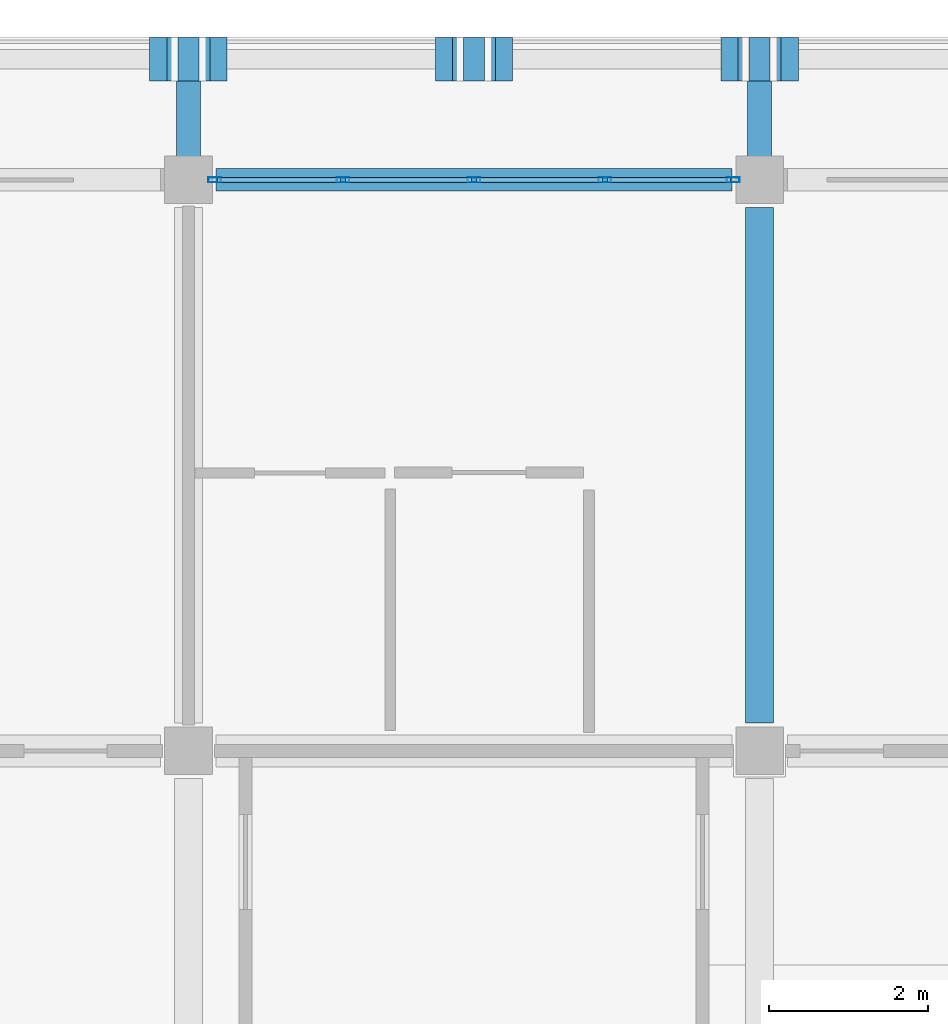
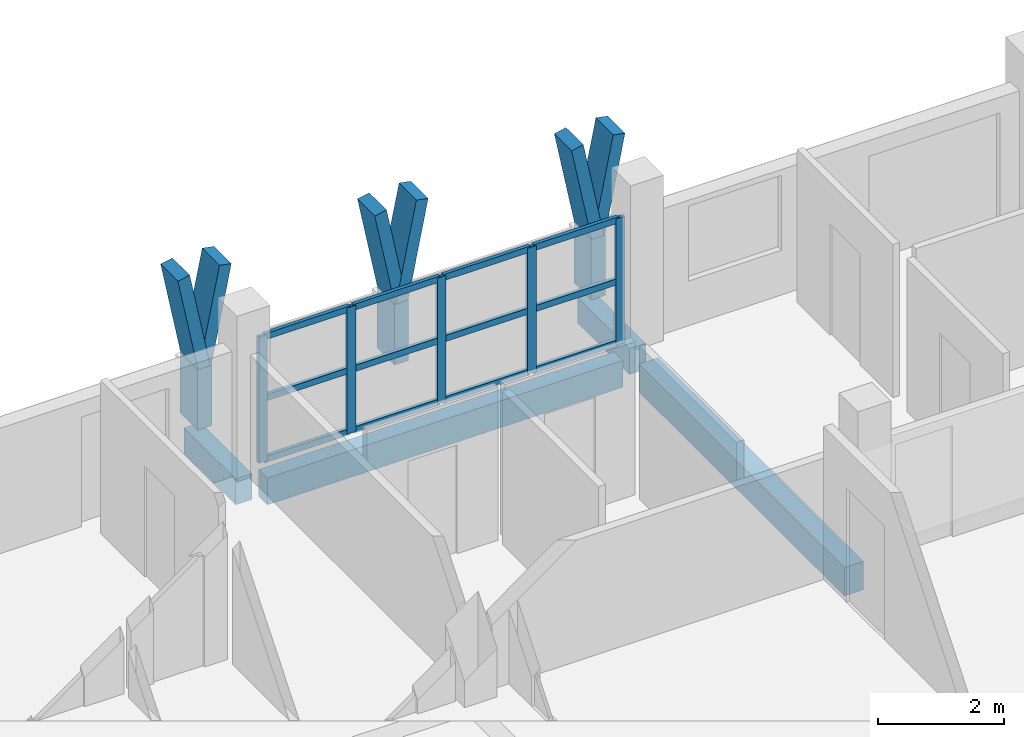
# One storey, part 91 of 157: 26 members, 4 beams, 1 element without a shape of its own.
"""IFC4 building model written with IfcOpenShell, lengths in metres."""

from ifc_helpers import new_model, si_unit, direction, frame, origin, origin_2d, place, context, subcontext, project, spatial, rectangle, hollow_rectangle, extrude, material, material_profile, profile_set, type_object, element, aggregate, save


model = new_model("IFC4")

# Units and contexts
model_context = context("Model", 3, precision=1e-05, world=origin(), true_north=direction((0.0, 1.0)))
body_context = subcontext(model_context, "Body", "Model", "MODEL_VIEW")
ifc_project = project(units=[si_unit("LENGTHUNIT", "METRE"), si_unit("AREAUNIT", "SQUARE_METRE"), si_unit("VOLUMEUNIT", "CUBIC_METRE"), si_unit("PLANEANGLEUNIT", "RADIAN"), si_unit("MASSUNIT", "GRAM", prefix="KILO")], contexts=[model_context])

# Site, building, storey
site_placement = place(None, origin())
site = spatial("IfcSite", under=ifc_project, at=site_placement, CompositionType="ELEMENT")
building_placement = place(site_placement, origin())
building = spatial("IfcBuilding", under=site, at=building_placement, Name="Suanplinth Sawtooth Commons", CompositionType="ELEMENT")
storey_placement = place(building_placement, frame((0.0, 0.0, 9.0)))
storey = spatial("IfcBuildingStorey", under=building, at=storey_placement, Name="L02", CompositionType="ELEMENT", Elevation=9.0)

# Beams
ifc_material_1 = material(Name="Precast concrete C40/50", Category="concrete")
ifc_material_profile_1 = material_profile(ifc_material_1, rectangle(XDim=0.35009765625, YDim=0.550048828125, at=origin_2d()), Name="PC-BM 350x550")
ifc_profile_set_1 = profile_set([ifc_material_profile_1], Name="Precast concrete C40/50")
beam_type_1 = type_object("IfcBeamType", Name="B-06", PredefinedType="BEAM", material=ifc_profile_set_1)
beam_1_placement = place(storey_placement, frame((172.800048828125, 115.550048828125, -0.52490234375), z_axis=(0.0, 1.0, 0.0), x_axis=(-1.0, 0.0, 0.0)))
element("IfcBeam", 1, at=beam_1_placement, inside=storey, type_object=beam_type_1, Name="BMY-L02-B-24-16", PredefinedType="BEAM", context=body_context, shape_type="SweptSolid", body=[
    extrude(rectangle(XDim=0.35009765625, YDim=0.550048828125, at=origin_2d()), origin(), (0.0, 0.0, 1.0), 6.5),
])
ifc_material_profile_2 = material_profile(ifc_material_1, rectangle(XDim=0.300048828125, YDim=0.5, at=origin_2d()), Name="PC-BM 300x500")
ifc_profile_set_2 = profile_set([ifc_material_profile_2], Name="Precast concrete C40/50")
beam_type_2 = type_object("IfcBeamType", Name="B-07", PredefinedType="BEAM", material=ifc_profile_set_2)
for number, where, z_axis, x_axis, name in (
    (2, (165.60009765625, 122.39990234375, -0.429931640625), (0.0, 1.0, 0.0), (-1.0, 0.0, 0.0), "Balcony Outrigger L02-B-N-23"),
    (3, (172.800048828125, 122.39990234375, -0.429931640625), (0.0, 1.0, 0.0), (-1.0, 0.0, 0.0), "Balcony Outrigger L02-B-N-24"),
):
    element("IfcBeam", number, at=place(storey_placement, frame(where, z_axis=z_axis, x_axis=x_axis)), inside=storey, type_object=beam_type_2, Name=name, PredefinedType="BEAM", context=body_context, shape_type="SweptSolid", body=[
        extrude(rectangle(XDim=0.300048828125, YDim=0.5, at=origin_2d()), origin(), (0.0, 0.0, 1.0), 1.64013671875),
    ])
ifc_material_profile_3 = material_profile(ifc_material_1, rectangle(XDim=0.280029296875, YDim=0.52001953125, at=origin_2d()), Name="PC-SP 280x520")
ifc_profile_set_3 = profile_set([ifc_material_profile_3], Name="Precast concrete C40/50")
beam_type_3 = type_object("IfcBeamType", Name="B-08", PredefinedType="SPANDREL", material=ifc_profile_set_3)
beam_2_placement = place(storey_placement, frame((165.949951171875, 122.39990234375, -0.510009765625), z_axis=(1.0, 0.0, 0.0), x_axis=(0.0, 1.0, 0.0)))
element("IfcBeam", 4, at=beam_2_placement, inside=storey, type_object=beam_type_3, Name="BMX-L02-B-23-17", PredefinedType="SPANDREL", context=body_context, shape_type="SweptSolid", body=[
    extrude(rectangle(XDim=0.280029296875, YDim=0.52001953125, at=origin_2d()), origin(), (0.0, 0.0, 1.0), 6.5),
])

# Members
ifc_material_2 = material(Name="Pigmented precast concrete C40/50", Category="concrete")
ifc_material_profile_4 = material_profile(ifc_material_2, rectangle(XDim=0.260009765625, YDim=0.550048828125, at=origin_2d()), Name="PC-FIN 260x550")
ifc_profile_set_4 = profile_set([ifc_material_profile_4], Name="Pigmented precast concrete C40/50")
member_type_1 = type_object("IfcMemberType", Name="M-09", PredefinedType="USERDEFINED", material=ifc_profile_set_4)
for number, where, z_axis, x_axis, name in (
    (5, (165.60009765625, 123.919921875, 0.0), (0.0, 0.0, 1.0), (1.0, 0.0, 0.0), "Y-Blade Stem L02-B-N-05"),
    (6, (169.199951171875, 123.919921875, 0.0), (0.0, 0.0, 1.0), (1.0, 0.0, 0.0), "Y-Blade Stem L02-B-N-06"),
    (7, (172.800048828125, 123.919921875, 0.0), (0.0, 0.0, 1.0), (1.0, 0.0, 0.0), "Y-Blade Stem L02-B-N-07"),
):
    element("IfcMember", number, at=place(storey_placement, frame(where, z_axis=z_axis, x_axis=x_axis)), inside=storey, type_object=member_type_1, Name=name, ObjectType="SHADING FIN", PredefinedType="USERDEFINED", context=body_context, shape_type="SweptSolid", body=[
        extrude(rectangle(XDim=0.260009765625, YDim=0.550048828125, at=origin_2d()), origin(), (0.0, 0.0, 1.0), 1.169921875),
    ])
ifc_material_profile_5 = material_profile(ifc_material_2, rectangle(XDim=0.219970703125, YDim=0.550048828125, at=origin_2d()), Name="PC-FIN 220x550")
ifc_profile_set_5 = profile_set([ifc_material_profile_5], Name="Pigmented precast concrete C40/50")
member_type_2 = type_object("IfcMemberType", Name="M-10", PredefinedType="USERDEFINED", material=ifc_profile_set_5)
member_1_placement = place(storey_placement, frame((165.60009765625, 123.919921875, 1.1298828125), z_axis=(-0.196406855569, 0.0, 0.980522486782), x_axis=(0.980522486782, 0.0, 0.196406855569)))
element("IfcMember", 8, at=member_1_placement, inside=storey, type_object=member_type_2, Name="Y-Blade Arm L L02-B-N-05", ObjectType="SHADING FIN", PredefinedType="USERDEFINED", context=body_context, shape_type="SweptSolid", body=[
    extrude(rectangle(XDim=0.219970703125, YDim=0.550048828125, at=origin_2d()), origin(), (0.0, 0.0, 1.0), 1.93798828125),
])
for number, where, z_axis, x_axis, name in (
    (9, (165.60009765625, 123.919921875, 1.1298828125), (0.196285728346, 0.0, 0.980546741796), (-0.980546741796, 0.0, 0.196285728346), "Y-Blade Arm R L02-B-N-05"),
    (10, (169.199951171875, 123.919921875, 1.1298828125), (-0.196285728346, 0.0, 0.980546741796), (0.980546741796, 0.0, 0.196285728346), "Y-Blade Arm L L02-B-N-06"),
):
    element("IfcMember", number, at=place(storey_placement, frame(where, z_axis=z_axis, x_axis=x_axis)), inside=storey, type_object=member_type_2, Name=name, ObjectType="SHADING FIN", PredefinedType="USERDEFINED", context=body_context, shape_type="SweptSolid", body=[
        extrude(rectangle(XDim=0.219970703125, YDim=0.550048828125, at=origin_2d()), origin(), (0.0, 0.0, 1.0), 1.937744140625),
    ])
for number, where, z_axis, x_axis, name in (
    (11, (169.199951171875, 123.919921875, 1.1298828125), (0.196406855569, 0.0, 0.980522486782), (-0.980522486782, 0.0, 0.196406855569), "Y-Blade Arm R L02-B-N-06"),
    (12, (172.800048828125, 123.919921875, 1.1298828125), (-0.196406855569, 0.0, 0.980522486782), (0.980522486782, 0.0, 0.196406855569), "Y-Blade Arm L L02-B-N-07"),
):
    element("IfcMember", number, at=place(storey_placement, frame(where, z_axis=z_axis, x_axis=x_axis)), inside=storey, type_object=member_type_2, Name=name, ObjectType="SHADING FIN", PredefinedType="USERDEFINED", context=body_context, shape_type="SweptSolid", body=[
        extrude(rectangle(XDim=0.219970703125, YDim=0.550048828125, at=origin_2d()), origin(), (0.0, 0.0, 1.0), 1.93798828125),
    ])
member_2_placement = place(storey_placement, frame((172.800048828125, 123.919921875, 1.1298828125), z_axis=(0.196285728346, 0.0, 0.980546741796), x_axis=(-0.980546741796, 0.0, 0.196285728346)))
element("IfcMember", 13, at=member_2_placement, inside=storey, type_object=member_type_2, Name="Y-Blade Arm R L02-B-N-07", ObjectType="SHADING FIN", PredefinedType="USERDEFINED", context=body_context, shape_type="SweptSolid", body=[
    extrude(rectangle(XDim=0.219970703125, YDim=0.550048828125, at=origin_2d()), origin(), (0.0, 0.0, 1.0), 1.937744140625),
])

# Curtain wall, members
ifc_material_3 = material(Name="Anodized aluminium and low-E glazing", Category="aluminium")
curtain_wall_type = type_object("IfcCurtainWallType", Name="CW-06", PredefinedType="USERDEFINED", material=ifc_material_3)
curtain_wall_placement = place(storey_placement, origin())
curtain_wall = element("IfcCurtainWall", 14, at=curtain_wall_placement, inside=storey, type_object=curtain_wall_type, Name="Curtain Wall CW-L02-B-LOUNGE-23", ObjectType="CURTAIN WALL", PredefinedType="USERDEFINED")
ifc_material_4 = material(Name="Anodized aluminium 6063-T6", Category="aluminium")
ifc_material_profile_6 = material_profile(ifc_material_4, hollow_rectangle(XDim=0.06494140625, YDim=0.159912109375, WallThickness=0.00390625, at=origin_2d()), Name="ALU-MUL 65x160")
ifc_profile_set_6 = profile_set([ifc_material_profile_6], Name="Anodized aluminium 6063-T6")
member_type_3 = type_object("IfcMemberType", Name="M-13", PredefinedType="MULLION", material=ifc_profile_set_6)
member_3_placement = place(storey_placement, frame((165.9326171875, 122.39990234375, 0.0), z_axis=(0.0, 0.0, 1.0), x_axis=(0.0, 1.0, 0.0)))
member_3 = element("IfcMember", 15, at=member_3_placement, type_object=member_type_3, Name="CW-06 mullion 1", PredefinedType="MULLION", context=body_context, shape_type="SweptSolid", body=[
    extrude(hollow_rectangle(XDim=0.06494140625, YDim=0.159912109375, WallThickness=0.00390625, at=origin_2d()), origin(), (0.0, 0.0, 1.0), 2.43994140625),
])
member_4_placement = place(storey_placement, frame((167.550048828125, 122.39990234375, 0.0), z_axis=(0.0, 0.0, 1.0), x_axis=(0.0, 1.0, 0.0)))
member_4 = element("IfcMember", 16, at=member_4_placement, type_object=member_type_3, Name="CW-06 mullion 2", PredefinedType="MULLION", context=body_context, shape_type="SweptSolid", body=[
    extrude(hollow_rectangle(XDim=0.06494140625, YDim=0.159912109375, WallThickness=0.00390625, at=origin_2d()), origin(), (0.0, 0.0, 1.0), 2.43994140625),
])
member_5_placement = place(storey_placement, frame((169.199951171875, 122.39990234375, 0.0), z_axis=(0.0, 0.0, 1.0), x_axis=(0.0, 1.0, 0.0)))
member_5 = element("IfcMember", 17, at=member_5_placement, type_object=member_type_3, Name="CW-06 mullion 3", PredefinedType="MULLION", context=body_context, shape_type="SweptSolid", body=[
    extrude(hollow_rectangle(XDim=0.06494140625, YDim=0.159912109375, WallThickness=0.00390625, at=origin_2d()), origin(), (0.0, 0.0, 1.0), 2.43994140625),
])
member_6_placement = place(storey_placement, frame((170.85009765625, 122.39990234375, 0.0), z_axis=(0.0, 0.0, 1.0), x_axis=(0.0, 1.0, 0.0)))
member_6 = element("IfcMember", 18, at=member_6_placement, type_object=member_type_3, Name="CW-06 mullion 4", PredefinedType="MULLION", context=body_context, shape_type="SweptSolid", body=[
    extrude(hollow_rectangle(XDim=0.06494140625, YDim=0.159912109375, WallThickness=0.00390625, at=origin_2d()), origin(), (0.0, 0.0, 1.0), 2.43994140625),
])
member_7_placement = place(storey_placement, frame((172.467529296875, 122.39990234375, 0.0), z_axis=(0.0, 0.0, 1.0), x_axis=(0.0, 1.0, 0.0)))
member_7 = element("IfcMember", 19, at=member_7_placement, type_object=member_type_3, Name="CW-06 mullion 5", PredefinedType="MULLION", context=body_context, shape_type="SweptSolid", body=[
    extrude(hollow_rectangle(XDim=0.06494140625, YDim=0.159912109375, WallThickness=0.00390625, at=origin_2d()), origin(), (0.0, 0.0, 1.0), 2.43994140625),
])
ifc_material_profile_7 = material_profile(ifc_material_4, hollow_rectangle(XDim=0.06494140625, YDim=0.1201171875, WallThickness=0.00390625, at=origin_2d()), Name="ALU-TRN 65x120")
ifc_profile_set_7 = profile_set([ifc_material_profile_7], Name="Anodized aluminium 6063-T6")
member_type_4 = type_object("IfcMemberType", Name="M-15", PredefinedType="USERDEFINED", material=ifc_profile_set_7)
member_8_placement = place(storey_placement, frame((165.965087890625, 122.39990234375, 0.032470703125), z_axis=(1.0, 0.0, 0.0), x_axis=(0.0, 1.0, 0.0)))
member_8 = element("IfcMember", 20, at=member_8_placement, type_object=member_type_4, Name="CW-06 transom 1.1", ObjectType="TRANSOM", PredefinedType="USERDEFINED", context=body_context, shape_type="SweptSolid", body=[
    extrude(hollow_rectangle(XDim=0.06494140625, YDim=0.1201171875, WallThickness=0.00390625, at=origin_2d()), origin(), (0.0, 0.0, 1.0), 1.552490234375),
])
member_9_placement = place(storey_placement, frame((165.965087890625, 122.39990234375, 1.219970703125), z_axis=(1.0, 0.0, 0.0), x_axis=(0.0, 1.0, 0.0)))
member_9 = element("IfcMember", 21, at=member_9_placement, type_object=member_type_4, Name="CW-06 transom 1.2", ObjectType="TRANSOM", PredefinedType="USERDEFINED", context=body_context, shape_type="SweptSolid", body=[
    extrude(hollow_rectangle(XDim=0.06494140625, YDim=0.1201171875, WallThickness=0.00390625, at=origin_2d()), origin(), (0.0, 0.0, 1.0), 1.552490234375),
])
member_10_placement = place(storey_placement, frame((165.965087890625, 122.39990234375, 2.407470703125), z_axis=(1.0, 0.0, 0.0), x_axis=(0.0, 1.0, 0.0)))
member_10 = element("IfcMember", 22, at=member_10_placement, type_object=member_type_4, Name="CW-06 transom 1.3", ObjectType="TRANSOM", PredefinedType="USERDEFINED", context=body_context, shape_type="SweptSolid", body=[
    extrude(hollow_rectangle(XDim=0.06494140625, YDim=0.1201171875, WallThickness=0.00390625, at=origin_2d()), origin(), (0.0, 0.0, 1.0), 1.552490234375),
])
member_11_placement = place(storey_placement, frame((167.58251953125, 122.39990234375, 0.032470703125), z_axis=(1.0, 0.0, 0.0), x_axis=(0.0, 1.0, 0.0)))
member_11 = element("IfcMember", 23, at=member_11_placement, type_object=member_type_4, Name="CW-06 transom 2.1", ObjectType="TRANSOM", PredefinedType="USERDEFINED", context=body_context, shape_type="SweptSolid", body=[
    extrude(hollow_rectangle(XDim=0.06494140625, YDim=0.1201171875, WallThickness=0.00390625, at=origin_2d()), origin(), (0.0, 0.0, 1.0), 1.5849609375),
])
member_12_placement = place(storey_placement, frame((167.58251953125, 122.39990234375, 1.219970703125), z_axis=(1.0, 0.0, 0.0), x_axis=(0.0, 1.0, 0.0)))
member_12 = element("IfcMember", 24, at=member_12_placement, type_object=member_type_4, Name="CW-06 transom 2.2", ObjectType="TRANSOM", PredefinedType="USERDEFINED", context=body_context, shape_type="SweptSolid", body=[
    extrude(hollow_rectangle(XDim=0.06494140625, YDim=0.1201171875, WallThickness=0.00390625, at=origin_2d()), origin(), (0.0, 0.0, 1.0), 1.5849609375),
])
member_13_placement = place(storey_placement, frame((167.58251953125, 122.39990234375, 2.407470703125), z_axis=(1.0, 0.0, 0.0), x_axis=(0.0, 1.0, 0.0)))
member_13 = element("IfcMember", 25, at=member_13_placement, type_object=member_type_4, Name="CW-06 transom 2.3", ObjectType="TRANSOM", PredefinedType="USERDEFINED", context=body_context, shape_type="SweptSolid", body=[
    extrude(hollow_rectangle(XDim=0.06494140625, YDim=0.1201171875, WallThickness=0.00390625, at=origin_2d()), origin(), (0.0, 0.0, 1.0), 1.5849609375),
])
member_14_placement = place(storey_placement, frame((169.232421875, 122.39990234375, 0.032470703125), z_axis=(1.0, 0.0, 0.0), x_axis=(0.0, 1.0, 0.0)))
member_14 = element("IfcMember", 26, at=member_14_placement, type_object=member_type_4, Name="CW-06 transom 3.1", ObjectType="TRANSOM", PredefinedType="USERDEFINED", context=body_context, shape_type="SweptSolid", body=[
    extrude(hollow_rectangle(XDim=0.06494140625, YDim=0.1201171875, WallThickness=0.00390625, at=origin_2d()), origin(), (0.0, 0.0, 1.0), 1.5849609375),
])
member_15_placement = place(storey_placement, frame((169.232421875, 122.39990234375, 1.219970703125), z_axis=(1.0, 0.0, 0.0), x_axis=(0.0, 1.0, 0.0)))
member_15 = element("IfcMember", 27, at=member_15_placement, type_object=member_type_4, Name="CW-06 transom 3.2", ObjectType="TRANSOM", PredefinedType="USERDEFINED", context=body_context, shape_type="SweptSolid", body=[
    extrude(hollow_rectangle(XDim=0.06494140625, YDim=0.1201171875, WallThickness=0.00390625, at=origin_2d()), origin(), (0.0, 0.0, 1.0), 1.5849609375),
])
member_16_placement = place(storey_placement, frame((169.232421875, 122.39990234375, 2.407470703125), z_axis=(1.0, 0.0, 0.0), x_axis=(0.0, 1.0, 0.0)))
member_16 = element("IfcMember", 28, at=member_16_placement, type_object=member_type_4, Name="CW-06 transom 3.3", ObjectType="TRANSOM", PredefinedType="USERDEFINED", context=body_context, shape_type="SweptSolid", body=[
    extrude(hollow_rectangle(XDim=0.06494140625, YDim=0.1201171875, WallThickness=0.00390625, at=origin_2d()), origin(), (0.0, 0.0, 1.0), 1.5849609375),
])
member_17_placement = place(storey_placement, frame((170.882568359375, 122.39990234375, 0.032470703125), z_axis=(1.0, 0.0, 0.0), x_axis=(0.0, 1.0, 0.0)))
member_17 = element("IfcMember", 29, at=member_17_placement, type_object=member_type_4, Name="CW-06 transom 4.1", ObjectType="TRANSOM", PredefinedType="USERDEFINED", context=body_context, shape_type="SweptSolid", body=[
    extrude(hollow_rectangle(XDim=0.06494140625, YDim=0.1201171875, WallThickness=0.00390625, at=origin_2d()), origin(), (0.0, 0.0, 1.0), 1.552490234375),
])
member_18_placement = place(storey_placement, frame((170.882568359375, 122.39990234375, 1.219970703125), z_axis=(1.0, 0.0, 0.0), x_axis=(0.0, 1.0, 0.0)))
member_18 = element("IfcMember", 30, at=member_18_placement, type_object=member_type_4, Name="CW-06 transom 4.2", ObjectType="TRANSOM", PredefinedType="USERDEFINED", context=body_context, shape_type="SweptSolid", body=[
    extrude(hollow_rectangle(XDim=0.06494140625, YDim=0.1201171875, WallThickness=0.00390625, at=origin_2d()), origin(), (0.0, 0.0, 1.0), 1.552490234375),
])
member_19_placement = place(storey_placement, frame((170.882568359375, 122.39990234375, 2.407470703125), z_axis=(1.0, 0.0, 0.0), x_axis=(0.0, 1.0, 0.0)))
member_19 = element("IfcMember", 31, at=member_19_placement, type_object=member_type_4, Name="CW-06 transom 4.3", ObjectType="TRANSOM", PredefinedType="USERDEFINED", context=body_context, shape_type="SweptSolid", body=[
    extrude(hollow_rectangle(XDim=0.06494140625, YDim=0.1201171875, WallThickness=0.00390625, at=origin_2d()), origin(), (0.0, 0.0, 1.0), 1.552490234375),
])
aggregate(curtain_wall, [member_3, member_4, member_5, member_6, member_7, member_8, member_9, member_10, member_11, member_12, member_13, member_14, member_15, member_16, member_17, member_18, member_19])

save(model, "model.ifc")
